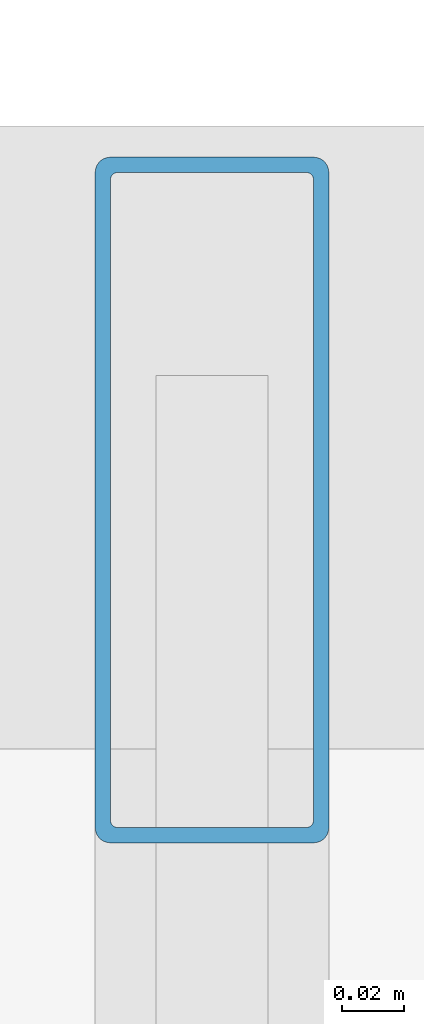
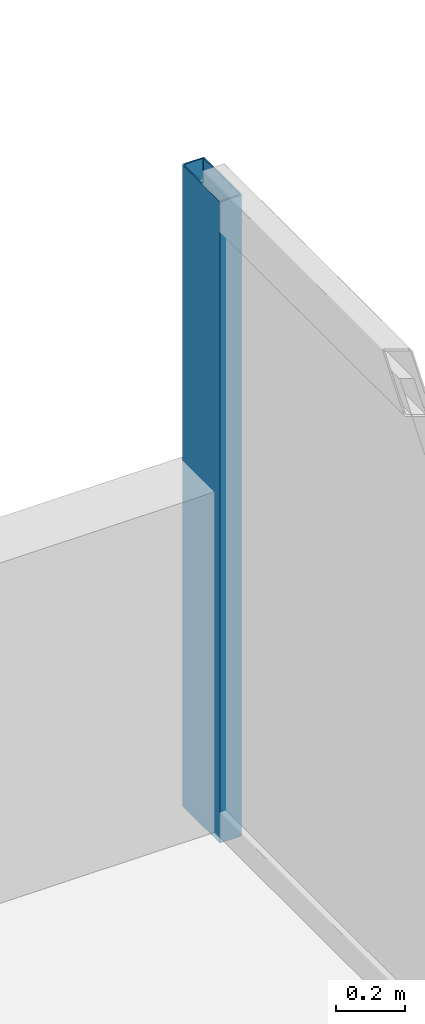
# One storey, part 16 of 21: 1 member, 1 element without a shape of its own.
"""IFC4 building model written with IfcOpenShell, lengths in metres."""

from ifc_helpers import new_model, si_unit, direction, frame, origin, origin_2d, place, context, subcontext, project, spatial, hollow_rectangle, extrude, material, material_profile, profile_set, type_object, element, aggregate, save


model = new_model("IFC4")

# Units and contexts
model_context = context("Model", 3, precision=1e-05, world=origin(), true_north=direction((0.0, 1.0)))
body_context = subcontext(model_context, "Body", "Model", "MODEL_VIEW")
ifc_project = project(units=[si_unit("LENGTHUNIT", "METRE"), si_unit("AREAUNIT", "SQUARE_METRE"), si_unit("VOLUMEUNIT", "CUBIC_METRE"), si_unit("PLANEANGLEUNIT", "RADIAN"), si_unit("MASSUNIT", "GRAM", prefix="KILO")], contexts=[model_context])

# Site, building, storey
site_placement = place(None, origin())
site = spatial("IfcSite", under=ifc_project, at=site_placement, CompositionType="ELEMENT")
building_placement = place(site_placement, origin())
building = spatial("IfcBuilding", under=site, at=building_placement, Name="Noeulbin Bourse Tower", CompositionType="ELEMENT")
storey_placement = place(building_placement, frame((0.0, 0.0, 77.199951171875)))
storey = spatial("IfcBuildingStorey", under=building, at=storey_placement, Name="L19", CompositionType="ELEMENT", Elevation=77.199951171875)

# Curtain wall, member
ifc_material_1 = material(Name="Dark Solar-Control Double Glazing", Category="glass")
curtain_wall_type = type_object("IfcCurtainWallType", Name="CW-SYS-2", PredefinedType="NOTDEFINED", material=ifc_material_1)
curtain_wall_placement = place(storey_placement, origin())
curtain_wall = element("IfcCurtainWall", 1, at=curtain_wall_placement, inside=storey, type_object=curtain_wall_type, Name="Unitised Curtain Wall CW-L19-E-S4", PredefinedType="NOTDEFINED")
ifc_material_2 = material(Name="Anodised Aluminium 6063-T6", Category="aluminium")
ifc_material_profile = material_profile(ifc_material_2, hollow_rectangle(XDim=0.074951171875, YDim=0.219970703125, WallThickness=0.0048828125, InnerFilletRadius=0.00244140625, OuterFilletRadius=0.0048828125, at=origin_2d()), Name="ALU-MULL-75x220x5", Category="LoadBearing")
ifc_profile_set = profile_set([ifc_material_profile], Name="Anodised Aluminium 6063-T6")
member_type = type_object("IfcMemberType", Name="CW-SYS-2-MUL", PredefinedType="MULLION", material=ifc_profile_set)
member_placement = place(storey_placement, frame((57.280029296875, 44.47998046875, -0.02001953125), z_axis=(0.0, 0.0, 1.0), x_axis=(1.0, 0.0, 0.0)))
member = element("IfcMember", 2, at=member_placement, type_object=member_type, Name="Curtain Wall Mullion CW-L19-E-S4-M01", PredefinedType="MULLION", context=body_context, shape_type="SweptSolid", body=[
    extrude(hollow_rectangle(XDim=0.074951171875, YDim=0.219970703125, WallThickness=0.0048828125, InnerFilletRadius=0.00244140625, OuterFilletRadius=0.0048828125, at=origin_2d()), origin(), (0.0, 0.0, 1.0), 2.260009765625),
])
aggregate(curtain_wall, [member])

save(model, "model.ifc")
